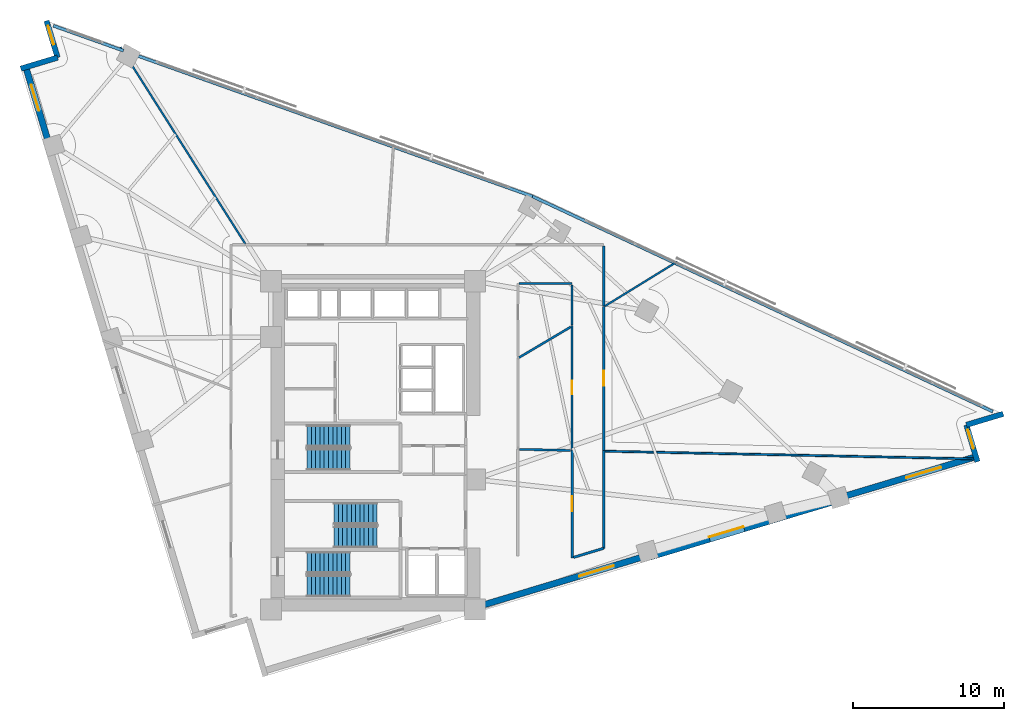
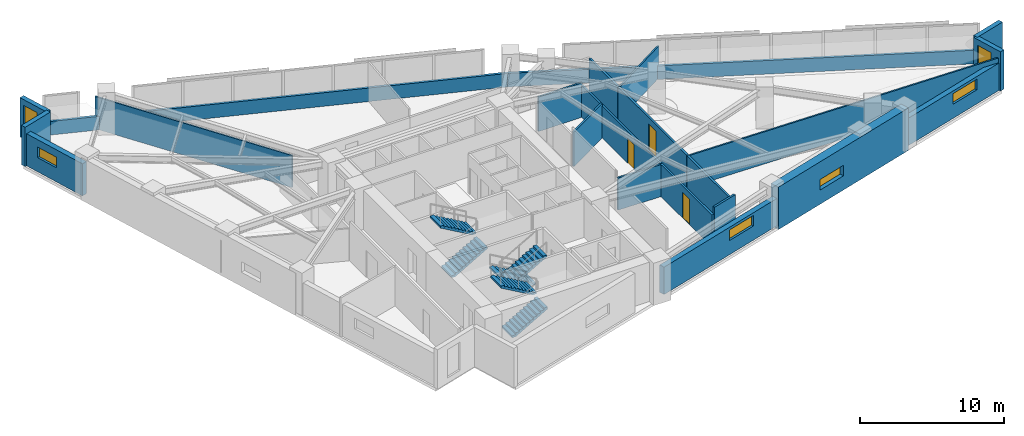
# One storey, part 13 of 16: 24 walls, 6 stair flights, 6 windows, 3 doors, 9 openings, 3 elements without a shape of their own.
"""IFC4 building model written with IfcOpenShell, lengths in metres."""

from ifc_helpers import new_model, si_unit, direction, frame, frame_2d, origin, place, context, subcontext, project, spatial, polyline, rectangle, outline, extrude, material, layer, layer_set, type_object, element, fill, aggregate, save


model = new_model("IFC4")

# Units and contexts
model_context = context("Model", 3, precision=1e-05, world=origin(), true_north=direction((0.0, 1.0)))
body_context = subcontext(model_context, "Body", "Model", "MODEL_VIEW")
ifc_project = project(units=[si_unit("LENGTHUNIT", "METRE"), si_unit("AREAUNIT", "SQUARE_METRE"), si_unit("VOLUMEUNIT", "CUBIC_METRE"), si_unit("PLANEANGLEUNIT", "RADIAN"), si_unit("MASSUNIT", "GRAM", prefix="KILO")], contexts=[model_context])

# Site, building, storey
site_placement = place(None, origin())
site = spatial("IfcSite", under=ifc_project, at=site_placement, CompositionType="ELEMENT")
building_placement = place(site_placement, origin())
building = spatial("IfcBuilding", under=site, at=building_placement, Name="Narakoshi Arena Tower", CompositionType="ELEMENT")
storey_placement = place(building_placement, frame((0.0, 0.0, 153.89990234375)))
storey = spatial("IfcBuildingStorey", under=building, at=storey_placement, Name="L41", CompositionType="ELEMENT", Elevation=153.89990234375)

# Wall, opening, door
ifc_material_1 = material(Name="Gypsum plasterboard fire-rated partition")
ifc_layer_1 = layer(ifc_material_1, 0.1650390625)
ifc_layer_set_1 = layer_set([ifc_layer_1], Name="Gypsum plasterboard fire-rated partition")
wall_type_1 = type_object("IfcWallType", Name="WL-CORR-165", PredefinedType="PARTITIONING", material=ifc_layer_set_1)
wall_1_placement = place(storey_placement, frame((91.996337890625, 45.300048828125, 0.0), z_axis=(0.0, 0.0, 1.0), x_axis=(0.0, -1.0, 0.0)))
wall_1 = element("IfcWall", 1, at=wall_1_placement, inside=storey, type_object=wall_type_1, Name="L41 Corridor Partition 02-1", PredefinedType="PARTITIONING", context=body_context, shape_type="SweptSolid", body=[
    extrude(rectangle(XDim=7.16064453125, YDim=0.1650390625, at=frame_2d((3.580322265625, 0.0))), origin(), (0.0, 0.0, 1.0), 2.72509765625),
])
opening_1_placement = place(wall_1_placement, frame((3.080322265625, 0.0, 0.0)))
opening_1 = element("IfcOpeningElement", 2, at=opening_1_placement, cuts=wall_1, Name="Opening D-06", PredefinedType="OPENING", context=body_context, shape_type="SweptSolid", body=[
    extrude(rectangle(XDim=1.0, YDim=2.199951171875, at=frame_2d((0.5, 1.10009765625))), frame((0.0, 0.092529296875, 0.0), z_axis=(0.0, -1.0, 0.0), x_axis=(1.0, 0.0, 0.0)), (0.0, 0.0, 1.0), 0.18505859375),
])
ifc_material_2 = material(Name="Stained oak solid-core timber", Category="wood")
door_type_1 = type_object("IfcDoorType", Name="DR-OFF-1000", OperationType="NOTDEFINED", PredefinedType="DOOR", material=ifc_material_2)
door_1_placement = place(opening_1_placement, frame((1.0, 0.0, 0.0), z_axis=(0.0, 0.0, 1.0), x_axis=(-1.0, 0.0, 0.0)))
door_1 = element("IfcDoor", 3, at=door_1_placement, inside=storey, type_object=door_type_1, Name="DR-L41-016", OperationType="SINGLE_SWING_RIGHT", OverallHeight=2.199951171875, OverallWidth=1.0, PredefinedType="DOOR", context=body_context, shape_type="SweptSolid", body=[
    extrude(rectangle(XDim=1.0, YDim=2.199951171875, at=frame_2d((0.5, 1.10009765625))), frame((0.0, 0.02490234375, 0.0), z_axis=(0.0, -1.0, 0.0), x_axis=(1.0, 0.0, 0.0)), (0.0, 0.0, 1.0), 0.050048828125),
])
fill(opening_1, door_1)

# Walls
wall_2_placement = place(storey_placement, frame((94.09619140625, 38.771484375, 0.0), z_axis=(0.0, 0.0, 1.0), x_axis=(0.0, 1.0, 0.0)))
element("IfcWall", 4, at=wall_2_placement, inside=storey, type_object=wall_type_1, Name="L41 Corridor Partition 02-3", PredefinedType="PARTITIONING", context=body_context, shape_type="SweptSolid", body=[
    extrude(rectangle(XDim=6.482666015625, YDim=0.1650390625, at=frame_2d((3.2412109375, 0.0))), origin(), (0.0, 0.0, 1.0), 2.72509765625),
])
wall_3_placement = place(storey_placement, frame((92.0908203125, 38.16796875, 0.0), z_axis=(0.0, 0.0, 1.0), x_axis=(0.957575652527, 0.288182007919, 0.0)))
element("IfcWall", 5, at=wall_3_placement, inside=storey, type_object=wall_type_1, Name="L41 Corridor Partition 02-4", PredefinedType="PARTITIONING", context=body_context, shape_type="SweptSolid", body=[
    extrude(rectangle(XDim=2.09423828125, YDim=0.1650390625, at=frame_2d((1.047119140625, 0.0))), origin(), (0.0, 0.0, 1.0), 3.340087890625),
])

# Wall, opening, door
wall_4_placement = place(storey_placement, frame((94.09619140625, 45.2783203125, 0.0), z_axis=(0.0, 0.0, 1.0), x_axis=(0.0, 1.0, 0.0)))
wall_4 = element("IfcWall", 6, at=wall_4_placement, inside=storey, type_object=wall_type_1, Name="L41 Corridor Partition 03-1", PredefinedType="PARTITIONING", context=body_context, shape_type="SweptSolid", body=[
    extrude(rectangle(XDim=9.55322265625, YDim=0.1650390625, at=frame_2d((4.776611328125, 0.0))), origin(), (0.0, 0.0, 1.0), 2.72509765625),
])
opening_2_placement = place(wall_4_placement, frame((4.276611328125, 0.0, 0.0)))
opening_2 = element("IfcOpeningElement", 7, at=opening_2_placement, cuts=wall_4, Name="Opening D-06", PredefinedType="OPENING", context=body_context, shape_type="SweptSolid", body=[
    extrude(rectangle(XDim=1.0, YDim=2.199951171875, at=frame_2d((0.5, 1.10009765625))), frame((0.0, 0.092529296875, 0.0), z_axis=(0.0, -1.0, 0.0), x_axis=(1.0, 0.0, 0.0)), (0.0, 0.0, 1.0), 0.18505859375),
])
door_2_placement = place(opening_2_placement, frame((1.0, 0.0, 0.0), z_axis=(0.0, 0.0, 1.0), x_axis=(-1.0, 0.0, 0.0)))
door_2 = element("IfcDoor", 8, at=door_2_placement, inside=storey, type_object=door_type_1, Name="DR-L41-017", OperationType="SINGLE_SWING_LEFT", OverallHeight=2.199951171875, OverallWidth=1.0, PredefinedType="DOOR", context=body_context, shape_type="SweptSolid", body=[
    extrude(rectangle(XDim=1.0, YDim=2.199951171875, at=frame_2d((0.5, 1.10009765625))), frame((0.0, 0.02490234375, 0.0), z_axis=(0.0, -1.0, 0.0), x_axis=(1.0, 0.0, 0.0)), (0.0, 0.0, 1.0), 0.050048828125),
])
fill(opening_2, door_2)

# Wall
wall_5_placement = place(storey_placement, frame((94.09619140625, 54.859619140625, 0.0), z_axis=(0.0, 0.0, 1.0), x_axis=(0.0, 1.0, 0.0)))
element("IfcWall", 9, at=wall_5_placement, inside=storey, type_object=wall_type_1, Name="L41 Corridor Partition 06-2", PredefinedType="PARTITIONING", context=body_context, shape_type="SweptSolid", body=[
    extrude(rectangle(XDim=3.98291015625, YDim=0.1650390625, at=frame_2d((1.991455078125, 0.0))), origin(), (0.0, 0.0, 1.0), 2.72509765625),
])

# Wall, opening, window
ifc_material_3 = material(Name="Concrete C60/75", Category="concrete")
ifc_layer_2 = layer(ifc_material_3, 0.699951171875)
ifc_layer_set_2 = layer_set([ifc_layer_2], Name="Concrete C60/75")
wall_type_2 = type_object("IfcWallType", Name="WL-LEG-700", PredefinedType="SHEAR", material=ifc_layer_set_2)
wall_6_placement = place(storey_placement, frame((97.062255859375, 38.306640625, -0.260009765625), z_axis=(0.0, 0.0, 1.0), x_axis=(0.957569832102, 0.288201347408, 0.0)))
wall_6 = element("IfcWall", 10, at=wall_6_placement, inside=storey, type_object=wall_type_2, Name="L41 Architectural Concrete Structural Wall LEGA-3", PredefinedType="SHEAR", context=body_context, shape_type="SweptSolid", body=[
    extrude(rectangle(XDim=13.198974609375, YDim=0.699951171875, at=frame_2d((6.599609375, 0.0))), origin(), (0.0, 0.0, 1.0), 3.60009765625),
])
opening_3_placement = place(wall_6_placement, frame((4.201171875, 0.0, 1.199951171875)))
opening_3 = element("IfcOpeningElement", 11, at=opening_3_placement, cuts=wall_6, Name="Opening WN-01", PredefinedType="OPENING", context=body_context, shape_type="SweptSolid", body=[
    extrude(rectangle(XDim=2.39990234375, YDim=0.89990234375, at=frame_2d((1.199951171875, 0.449951171875))), frame((0.0, 0.35986328125, 0.0), z_axis=(0.0, -1.0, 0.0), x_axis=(1.0, 0.0, 0.0)), (0.0, 0.0, 1.0), 0.719970703125),
])
ifc_material_4 = material(Name="Bronze-tinted low-E laminated glass", Category="glass")
window_type_1 = type_object("IfcWindowType", Name="WIN-SLT-24x09", PartitioningType="SINGLE_PANEL", PredefinedType="WINDOW", material=ifc_material_4)
window_1_placement = place(opening_3_placement, origin())
window_1 = element("IfcWindow", 12, at=window_1_placement, inside=storey, type_object=window_type_1, Name="L41 LEGA3 Horizontal Slot Window 1", OverallHeight=0.89990234375, OverallWidth=2.39990234375, PartitioningType="SINGLE_PANEL", PredefinedType="WINDOW", context=body_context, shape_type="SweptSolid", body=[
    extrude(rectangle(XDim=2.39990234375, YDim=0.89990234375, at=frame_2d((1.199951171875, 0.449951171875))), frame((0.0, 0.030029296875, 0.0), z_axis=(0.0, -1.0, 0.0), x_axis=(1.0, 0.0, 0.0)), (0.0, 0.0, 1.0), 0.06005859375),
])
fill(opening_3, window_1)

# Walls
ifc_material_5 = material(Name="Precast concrete C45/55", Category="concrete")
ifc_layer_3 = layer(ifc_material_5, 0.25)
ifc_layer_set_3 = layer_set([ifc_layer_3], Name="Precast concrete C45/55")
wall_type_3 = type_object("IfcWallType", Name="WL-PARA-250", PredefinedType="PARAPET", material=ifc_layer_set_3)
wall_7_placement = place(storey_placement, frame((119.92578125, 47.843017578125, 0.0), z_axis=(0.0, 0.0, 1.0), x_axis=(-0.905880730846, 0.423532881228, 0.0)))
element("IfcWall", 13, at=wall_7_placement, inside=storey, type_object=wall_type_3, Name="L41 Hypotenuse Sill Upstand Parapet 1-01", PredefinedType="PARAPET", context=body_context, shape_type="SweptSolid", body=[
    extrude(rectangle(XDim=33.74755859375, YDim=0.199951171875, at=frame_2d((16.873779296875, 0.0))), origin(), (0.0, 0.0, 1.0), 1.150146484375),
])
wall_8_placement = place(storey_placement, frame((89.368408203125, 62.13037109375, 0.0), z_axis=(0.0, 0.0, 1.0), x_axis=(-0.942033439765, 0.335518998515, 0.0)))
element("IfcWall", 14, at=wall_8_placement, inside=storey, type_object=wall_type_3, Name="L41 Hypotenuse Sill Upstand Parapet 2-01", PredefinedType="PARAPET", context=body_context, shape_type="SweptSolid", body=[
    extrude(rectangle(XDim=27.969482421875, YDim=0.199951171875, at=frame_2d((13.98486328125, 0.0))), origin(), (0.0, 0.0, 1.0), 1.150146484375),
])
wall_9_placement = place(storey_placement, frame((62.2177734375, 71.800537109375, 0.0), z_axis=(0.0, 0.0, 1.0), x_axis=(-0.942038862895, 0.335503771655, 0.0)))
element("IfcWall", 15, at=wall_9_placement, inside=storey, type_object=wall_type_3, Name="L41 Hypotenuse Sill Upstand Parapet 2-02", PredefinedType="PARAPET", context=body_context, shape_type="SweptSolid", body=[
    extrude(rectangle(XDim=4.941650390625, YDim=0.199951171875, at=frame_2d((2.470703125, 0.0))), origin(), (0.0, 0.0, 1.0), 1.150146484375),
])
ifc_layer_4 = layer(ifc_material_1, 0.125)
ifc_layer_set_4 = layer_set([ifc_layer_4], Name="Gypsum plasterboard fire-rated partition")
wall_type_4 = type_object("IfcWallType", Name="WL-PART-125", PredefinedType="PARTITIONING", material=ifc_layer_set_4)
wall_10_placement = place(storey_placement, frame((94.190673828125, 45.21630859375, 0.0), z_axis=(0.0, 0.0, 1.0), x_axis=(0.999785813259, -0.020696077055, 0.0)))
element("IfcWall", 16, at=wall_10_placement, inside=storey, type_object=wall_type_4, Name="L41 Inter-Room Partition 02-03", PredefinedType="PARTITIONING", context=body_context, shape_type="SweptSolid", body=[
    extrude(rectangle(XDim=24.66650390625, YDim=0.125, at=frame_2d((12.333251953125, 0.0))), origin(), (0.0, 0.0, 1.0), 2.72509765625),
])
wall_11_placement = place(storey_placement, frame((94.14794921875, 54.83154296875, 0.0), z_axis=(0.0, 0.0, 1.0), x_axis=(0.851656841351, 0.524099823106, 0.0)))
element("IfcWall", 17, at=wall_11_placement, inside=storey, type_object=wall_type_4, Name="L41 Inter-Room Partition 03-06", PredefinedType="PARTITIONING", context=body_context, shape_type="SweptSolid", body=[
    extrude(rectangle(XDim=5.681640625, YDim=0.125, at=frame_2d((2.8408203125, 0.0))), origin(), (0.0, 0.0, 1.0), 2.72509765625),
])
wall_12_placement = place(storey_placement, frame((70.30126953125, 58.986572265625, 0.0), z_axis=(0.0, 0.0, 1.0), x_axis=(-0.536044918422, 0.844189460627, 0.0)))
element("IfcWall", 18, at=wall_12_placement, inside=storey, type_object=wall_type_4, Name="L41 Inter-Room Partition 07-08", PredefinedType="PARTITIONING", context=body_context, shape_type="SweptSolid", body=[
    extrude(rectangle(XDim=15.468017578125, YDim=0.125, at=frame_2d((7.73388671875, 0.0))), origin(), (0.0, 0.0, 1.0), 2.72509765625),
])

# Wall, opening, window
ifc_layer_5 = layer(ifc_material_5, 0.419921875)
ifc_layer_set_5 = layer_set([ifc_layer_5], Name="Precast concrete C45/55")
wall_type_5 = type_object("IfcWallType", Name="WL-POD-420", PredefinedType="SOLIDWALL", material=ifc_layer_set_5)
wall_13_placement = place(storey_placement, frame((86.10009765625, 35.00732421875, 0.0), z_axis=(0.0, 0.0, 1.0), x_axis=(0.957569401796, 0.288202777129, 0.0)))
wall_13 = element("IfcWall", 19, at=wall_13_placement, inside=storey, type_object=wall_type_5, Name="L41 Architectural Concrete Facade Wall LEGA-2", PredefinedType="SOLIDWALL", context=body_context, shape_type="SweptSolid", body=[
    extrude(rectangle(XDim=11.447998046875, YDim=0.419921875, at=frame_2d((5.72412109375, 0.0))), origin(), (0.0, 0.0, 1.0), 2.3251953125),
])
opening_4_placement = place(wall_13_placement, frame((6.652099609375, 0.0, 1.199951171875)))
opening_4 = element("IfcOpeningElement", 20, at=opening_4_placement, cuts=wall_13, Name="Opening WN-01", PredefinedType="OPENING", context=body_context, shape_type="SweptSolid", body=[
    extrude(rectangle(XDim=2.39990234375, YDim=0.89990234375, at=frame_2d((1.199951171875, 0.449951171875))), frame((0.0, 0.219970703125, 0.0), z_axis=(0.0, -1.0, 0.0), x_axis=(1.0, 0.0, 0.0)), (0.0, 0.0, 1.0), 0.43994140625),
])
window_2_placement = place(opening_4_placement, origin())
window_2 = element("IfcWindow", 21, at=window_2_placement, inside=storey, type_object=window_type_1, Name="L41 LEGA2 Horizontal Slot Window 1", OverallHeight=0.89990234375, OverallWidth=2.39990234375, PartitioningType="SINGLE_PANEL", PredefinedType="WINDOW", context=body_context, shape_type="SweptSolid", body=[
    extrude(rectangle(XDim=2.39990234375, YDim=0.89990234375, at=frame_2d((1.199951171875, 0.449951171875))), frame((0.0, 0.030029296875, 0.0), z_axis=(0.0, -1.0, 0.0), x_axis=(1.0, 0.0, 0.0)), (0.0, 0.0, 1.0), 0.06005859375),
])
fill(opening_4, window_2)

wall_14_placement = place(storey_placement, frame((109.701171875, 42.110595703125, 0.0), z_axis=(0.0, 0.0, 1.0), x_axis=(0.957575807765, 0.288181492091, 0.0)))
wall_14 = element("IfcWall", 22, at=wall_14_placement, inside=storey, type_object=wall_type_5, Name="L41 Architectural Concrete Facade Wall LEGA-4", PredefinedType="SOLIDWALL", context=body_context, shape_type="SweptSolid", body=[
    extrude(rectangle(XDim=9.510498046875, YDim=0.419921875, at=frame_2d((4.75537109375, 0.0))), origin(), (0.0, 0.0, 1.0), 2.3251953125),
])
opening_5_placement = place(wall_14_placement, frame((4.679443359375, 0.0, 1.199951171875)))
opening_5 = element("IfcOpeningElement", 23, at=opening_5_placement, cuts=wall_14, Name="Opening WN-01", PredefinedType="OPENING", context=body_context, shape_type="SweptSolid", body=[
    extrude(rectangle(XDim=2.39990234375, YDim=0.89990234375, at=frame_2d((1.199951171875, 0.449951171875))), frame((0.0, 0.219970703125, 0.0), z_axis=(0.0, -1.0, 0.0), x_axis=(1.0, 0.0, 0.0)), (0.0, 0.0, 1.0), 0.43994140625),
])
window_3_placement = place(opening_5_placement, origin())
window_3 = element("IfcWindow", 24, at=window_3_placement, inside=storey, type_object=window_type_1, Name="L41 LEGA4 Horizontal Slot Window 1", OverallHeight=0.89990234375, OverallWidth=2.39990234375, PartitioningType="SINGLE_PANEL", PredefinedType="WINDOW", context=body_context, shape_type="SweptSolid", body=[
    extrude(rectangle(XDim=2.39990234375, YDim=0.89990234375, at=frame_2d((1.199951171875, 0.449951171875))), frame((0.0, 0.030029296875, 0.0), z_axis=(0.0, -1.0, 0.0), x_axis=(1.0, 0.0, 0.0)), (0.0, 0.0, 1.0), 0.06005859375),
])
fill(opening_5, window_3)

wall_15_placement = place(storey_placement, frame((55.734130859375, 70.71142578125, 0.0), z_axis=(0.0, 0.0, 1.0), x_axis=(0.288221590884, -0.957563739157, 0.0)))
wall_15 = element("IfcWall", 25, at=wall_15_placement, inside=storey, type_object=wall_type_5, Name="L41 Architectural Concrete Facade Wall LEGB-1", PredefinedType="SOLIDWALL", context=body_context, shape_type="SweptSolid", body=[
    extrude(rectangle(XDim=5.510986328125, YDim=0.419921875, at=frame_2d((2.75537109375, 0.0))), origin(), (0.0, 0.0, 1.0), 2.72509765625),
])
opening_6_placement = place(wall_15_placement, frame((1.223388671875, 0.0, 1.199951171875)))
opening_6 = element("IfcOpeningElement", 26, at=opening_6_placement, cuts=wall_15, Name="Opening WN-02", PredefinedType="OPENING", context=body_context, shape_type="SweptSolid", body=[
    extrude(rectangle(XDim=1.800048828125, YDim=0.89990234375, at=frame_2d((0.89990234375, 0.449951171875))), frame((0.0, 0.219970703125, 0.0), z_axis=(0.0, -1.0, 0.0), x_axis=(1.0, 0.0, 0.0)), (0.0, 0.0, 1.0), 0.43994140625),
])
window_type_2 = type_object("IfcWindowType", Name="WIN-SLT-18x09", PartitioningType="SINGLE_PANEL", PredefinedType="WINDOW", material=ifc_material_4)
window_4_placement = place(opening_6_placement, origin())
window_4 = element("IfcWindow", 27, at=window_4_placement, inside=storey, type_object=window_type_2, Name="L41 LEGB1 Horizontal Slot Window 1", OverallHeight=0.89990234375, OverallWidth=1.800048828125, PartitioningType="SINGLE_PANEL", PredefinedType="WINDOW", context=body_context, shape_type="SweptSolid", body=[
    extrude(rectangle(XDim=1.800048828125, YDim=0.89990234375, at=frame_2d((0.89990234375, 0.449951171875))), frame((0.0, 0.030029296875, 0.0), z_axis=(0.0, -1.0, 0.0), x_axis=(1.0, 0.0, 0.0)), (0.0, 0.0, 1.0), 0.06005859375),
])
fill(opening_6, window_4)

wall_16_placement = place(storey_placement, frame((118.908935546875, 44.51611328125, 0.0), z_axis=(0.0, 0.0, 1.0), x_axis=(-0.288172590882, 0.95757848653, 0.0)))
wall_16 = element("IfcWall", 28, at=wall_16_placement, inside=storey, type_object=wall_type_5, Name="L41 Re-Entrant Corner Notch Wall NTE-1", PredefinedType="SOLIDWALL", context=body_context, shape_type="SweptSolid", body=[
    extrude(rectangle(XDim=2.552734375, YDim=0.360107421875, at=frame_2d((1.2763671875, 0.0))), origin(), (0.0, 0.0, 1.0), 3.340087890625),
])
opening_7_placement = place(wall_16_placement, frame((0.91259765625, 0.0, 0.449951171875)))
opening_7 = element("IfcOpeningElement", 29, at=opening_7_placement, cuts=wall_16, Name="Opening WN-06", PredefinedType="OPENING", context=body_context, shape_type="SweptSolid", body=[
    extrude(rectangle(XDim=1.300048828125, YDim=2.39990234375, at=frame_2d((0.64990234375, 1.199951171875))), frame((0.0, 0.18994140625, 0.0), z_axis=(0.0, -1.0, 0.0), x_axis=(1.0, 0.0, 0.0)), (0.0, 0.0, 1.0), 0.380126953125),
])
window_type_3 = type_object("IfcWindowType", Name="WIN-NTC-16x24", PartitioningType="SINGLE_PANEL", PredefinedType="WINDOW", material=ifc_material_4)
window_5_placement = place(opening_7_placement, origin())
window_5 = element("IfcWindow", 30, at=window_5_placement, inside=storey, type_object=window_type_3, Name="L41 Corner Notch Window NTE", OverallHeight=2.39990234375, OverallWidth=1.300048828125, PartitioningType="SINGLE_PANEL", PredefinedType="WINDOW", context=body_context, shape_type="SweptSolid", body=[
    extrude(rectangle(XDim=1.300048828125, YDim=2.39990234375, at=frame_2d((0.64990234375, 1.199951171875))), frame((0.0, 0.030029296875, 0.0), z_axis=(0.0, -1.0, 0.0), x_axis=(1.0, 0.0, 0.0)), (0.0, 0.0, 1.0), 0.06005859375),
])
fill(opening_7, window_5)

# Wall
wall_17_placement = place(storey_placement, frame((118.17333984375, 46.96044921875, 0.0), z_axis=(0.0, 0.0, 1.0), x_axis=(0.95757848653, 0.288172590882, 0.0)))
element("IfcWall", 31, at=wall_17_placement, inside=storey, type_object=wall_type_5, Name="L41 Re-Entrant Corner Notch Wall NTE-2", PredefinedType="SOLIDWALL", context=body_context, shape_type="SweptSolid", body=[
    extrude(rectangle(XDim=2.552734375, YDim=0.360107421875, at=frame_2d((1.2763671875, 0.0))), origin(), (0.0, 0.0, 1.0), 3.340087890625),
])

# Wall, opening, window
wall_18_placement = place(storey_placement, frame((57.107666015625, 73.790283203125, 0.0), z_axis=(0.0, 0.0, 1.0), x_axis=(0.288198985694, -0.957570542908, 0.0)))
wall_18 = element("IfcWall", 32, at=wall_18_placement, inside=storey, type_object=wall_type_5, Name="L41 Re-Entrant Corner Notch Wall NTN-1", PredefinedType="SOLIDWALL", context=body_context, shape_type="SweptSolid", body=[
    extrude(rectangle(XDim=2.552490234375, YDim=0.360107421875, at=frame_2d((1.2763671875, 0.0))), origin(), (0.0, 0.0, 1.0), 3.340087890625),
])
opening_8_placement = place(wall_18_placement, frame((0.340087890625, 0.0, 0.449951171875)))
opening_8 = element("IfcOpeningElement", 33, at=opening_8_placement, cuts=wall_18, Name="Opening WN-06", PredefinedType="OPENING", context=body_context, shape_type="SweptSolid", body=[
    extrude(rectangle(XDim=1.300048828125, YDim=2.39990234375, at=frame_2d((0.64990234375, 1.199951171875))), frame((0.0, 0.18994140625, 0.0), z_axis=(0.0, -1.0, 0.0), x_axis=(1.0, 0.0, 0.0)), (0.0, 0.0, 1.0), 0.380126953125),
])
window_6_placement = place(opening_8_placement, origin())
window_6 = element("IfcWindow", 34, at=window_6_placement, inside=storey, type_object=window_type_3, Name="L41 Corner Notch Window NTN", OverallHeight=2.39990234375, OverallWidth=1.300048828125, PartitioningType="SINGLE_PANEL", PredefinedType="WINDOW", context=body_context, shape_type="SweptSolid", body=[
    extrude(rectangle(XDim=1.300048828125, YDim=2.39990234375, at=frame_2d((0.64990234375, 1.199951171875))), frame((0.0, 0.030029296875, 0.0), z_axis=(0.0, -1.0, 0.0), x_axis=(1.0, 0.0, 0.0)), (0.0, 0.0, 1.0), 0.06005859375),
])
fill(opening_8, window_6)

# Walls
wall_19_placement = place(storey_placement, frame((57.84326171875, 71.34619140625, 0.0), z_axis=(0.0, 0.0, 1.0), x_axis=(-0.95757848653, -0.288172590882, 0.0)))
element("IfcWall", 35, at=wall_19_placement, inside=storey, type_object=wall_type_5, Name="L41 Re-Entrant Corner Notch Wall NTN-2", PredefinedType="SOLIDWALL", context=body_context, shape_type="SweptSolid", body=[
    extrude(rectangle(XDim=2.552734375, YDim=0.360107421875, at=frame_2d((1.2763671875, 0.0))), origin(), (0.0, 0.0, 1.0), 3.340087890625),
])
ifc_material_6 = material(Name="Moisture-resistant cement-board partition")
ifc_layer_6 = layer(ifc_material_6, 0.14501953125)
ifc_layer_set_6 = layer_set([ifc_layer_6], Name="Moisture-resistant cement-board partition")
wall_type_6 = type_object("IfcWallType", Name="WL-WET-145", PredefinedType="PARTITIONING", material=ifc_layer_set_6)
wall_20_placement = place(storey_placement, frame((88.494384765625, 45.34033203125, 0.0), z_axis=(0.0, 0.0, 1.0), x_axis=(0.999762874358, -0.021776020191, 0.0)))
element("IfcWall", 36, at=wall_20_placement, inside=storey, type_object=wall_type_6, Name="L41 Inter-Room Partition 02-04", PredefinedType="PARTITIONING", context=body_context, shape_type="SweptSolid", body=[
    extrude(rectangle(XDim=3.408203125, YDim=0.14501953125, at=frame_2d((1.7041015625, 0.0))), origin(), (0.0, 0.0, 1.0), 2.72509765625),
])

# Wall, opening, door
wall_21_placement = place(storey_placement, frame((91.996337890625, 53.562255859375, 0.0), z_axis=(0.0, 0.0, 1.0), x_axis=(0.0, -1.0, 0.0)))
wall_21 = element("IfcWall", 37, at=wall_21_placement, inside=storey, type_object=wall_type_6, Name="L41 Corridor Partition 04-1", PredefinedType="PARTITIONING", context=body_context, shape_type="SweptSolid", body=[
    extrude(rectangle(XDim=8.238037109375, YDim=0.14501953125, at=frame_2d((4.119140625, 0.0))), origin(), (0.0, 0.0, 1.0), 2.72509765625),
])
opening_9_placement = place(wall_21_placement, frame((3.6689453125, 0.0, 0.0)))
opening_9 = element("IfcOpeningElement", 38, at=opening_9_placement, cuts=wall_21, Name="Opening D-08", PredefinedType="OPENING", context=body_context, shape_type="SweptSolid", body=[
    extrude(rectangle(XDim=0.89990234375, YDim=2.10009765625, at=frame_2d((0.449951171875, 1.050048828125))), frame((0.0, 0.08251953125, 0.0), z_axis=(0.0, -1.0, 0.0), x_axis=(1.0, 0.0, 0.0)), (0.0, 0.0, 1.0), 0.1650390625),
])
ifc_material_7 = material(Name="Moisture-resistant laminate timber", Category="wood")
door_type_2 = type_object("IfcDoorType", Name="DR-WC-900", OperationType="NOTDEFINED", PredefinedType="DOOR", material=ifc_material_7)
door_3_placement = place(opening_9_placement, frame((0.89990234375, 0.0, 0.0), z_axis=(0.0, 0.0, 1.0), x_axis=(-1.0, 0.0, 0.0)))
door_3 = element("IfcDoor", 39, at=door_3_placement, inside=storey, type_object=door_type_2, Name="DR-L41-018", OperationType="SINGLE_SWING_LEFT", OverallHeight=2.10009765625, OverallWidth=0.89990234375, PredefinedType="DOOR", context=body_context, shape_type="SweptSolid", body=[
    extrude(rectangle(XDim=0.89990234375, YDim=2.10009765625, at=frame_2d((0.449951171875, 1.050048828125))), frame((0.0, 0.02490234375, 0.0), z_axis=(0.0, -1.0, 0.0), x_axis=(1.0, 0.0, 0.0)), (0.0, 0.0, 1.0), 0.050048828125),
])
fill(opening_9, door_3)

# Walls
wall_22_placement = place(storey_placement, frame((88.460205078125, 51.42431640625, 0.0), z_axis=(0.0, 0.0, 1.0), x_axis=(0.860266822839, 0.509844087464, 0.0)))
element("IfcWall", 40, at=wall_22_placement, inside=storey, type_object=wall_type_6, Name="L41 Inter-Room Partition 04-05", PredefinedType="PARTITIONING", context=body_context, shape_type="SweptSolid", body=[
    extrude(rectangle(XDim=4.01220703125, YDim=0.14501953125, at=frame_2d((2.006103515625, 0.0))), origin(), (0.0, 0.0, 1.0), 2.925048828125),
])
wall_23_placement = place(storey_placement, frame((88.484619140625, 56.35009765625, 0.0), z_axis=(0.0, 0.0, 1.0), x_axis=(1.0, 0.0, 0.0)))
element("IfcWall", 41, at=wall_23_placement, inside=storey, type_object=wall_type_6, Name="L41 Corridor Partition 05-2", PredefinedType="PARTITIONING", context=body_context, shape_type="SweptSolid", body=[
    extrude(rectangle(XDim=3.51171875, YDim=0.14501953125, at=frame_2d((1.755859375, 0.0))), origin(), (0.0, 0.0, 1.0), 2.925048828125),
])
wall_24_placement = place(storey_placement, frame((91.996337890625, 56.265380859375, 0.0), z_axis=(0.0, 0.0, 1.0), x_axis=(0.0, -1.0, 0.0)))
element("IfcWall", 42, at=wall_24_placement, inside=storey, type_object=wall_type_6, Name="L41 Corridor Partition 05-3", PredefinedType="PARTITIONING", context=body_context, shape_type="SweptSolid", body=[
    extrude(rectangle(XDim=2.67529296875, YDim=0.14501953125, at=frame_2d((1.337646484375, 0.0))), origin(), (0.0, 0.0, 1.0), 2.72509765625),
])

# Stair, stair flights
ifc_material_8 = material(Name="Concrete C45/55", Category="concrete")
stair_type = type_object("IfcStairType", Name="STR-CORE-360", PredefinedType="TWO_STRAIGHT_RUN_STAIR", material=ifc_material_8)
stair_1_placement = place(storey_placement, origin())
stair_1 = element("IfcStair", 43, at=stair_1_placement, inside=storey, type_object=stair_type, Name="L41 Core Escape Stair ST1", PredefinedType="TWO_STRAIGHT_RUN_STAIR")
stair_flight_type = type_object("IfcStairFlightType", Name="FLT-145-160", PredefinedType="STRAIGHT", material=ifc_material_5)
stair_flight_1_placement = place(storey_placement, frame((74.39990234375, 36.27490234375, 0.0), z_axis=(0.0, 0.0, 1.0), x_axis=(1.0, 0.0, 0.0)))
stair_flight_1 = element("IfcStairFlight", 44, at=stair_flight_1_placement, type_object=stair_flight_type, Name="ST1 flight 1", NumberOfRisers=11, NumberOfTreads=10, PredefinedType="STRAIGHT", RiserHeight=0.163636364, TreadLength=0.285, context=body_context, shape_type="SweptSolid", body=[
    extrude(outline(polyline([(0.0, 0.0), (0.0, 0.16357421875), (0.284912109375, 0.16357421875), (0.284912109375, 0.327392578125), (0.570068359375, 0.327392578125), (0.570068359375, 0.490966796875), (0.85498046875, 0.490966796875), (0.85498046875, 0.654541015625), (1.139892578125, 0.654541015625), (1.139892578125, 0.818115234375), (1.425048828125, 0.818115234375), (1.425048828125, 0.98193359375), (1.7099609375, 0.98193359375), (1.7099609375, 1.1455078125), (1.9951171875, 1.1455078125), (1.9951171875, 1.30908203125), (2.280029296875, 1.30908203125), (2.280029296875, 1.47265625), (2.56494140625, 1.47265625), (2.56494140625, 1.636474609375), (2.85009765625, 1.636474609375), (2.85009765625, 1.800048828125), (2.85009765625, 1.463623046875), (0.301025390625, 0.0), (0.0, 0.0)])), frame((0.0, 0.72509765625, 0.0), z_axis=(0.0, -1.0, 0.0), x_axis=(1.0, 0.0, 0.0)), (0.0, 0.0, 1.0), 1.449951171875),
])
stair_flight_2_placement = place(storey_placement, frame((77.25, 37.824951171875, 1.800048828125), z_axis=(0.0, 0.0, 1.0), x_axis=(-1.0, 0.0, 0.0)))
stair_flight_2 = element("IfcStairFlight", 45, at=stair_flight_2_placement, type_object=stair_flight_type, Name="ST1 flight 2", NumberOfRisers=11, NumberOfTreads=10, PredefinedType="STRAIGHT", RiserHeight=0.163636364, TreadLength=0.285, context=body_context, shape_type="SweptSolid", body=[
    extrude(outline(polyline([(0.0, 0.0), (0.0, 0.16357421875), (0.284912109375, 0.16357421875), (0.284912109375, 0.327392578125), (0.570068359375, 0.327392578125), (0.570068359375, 0.490966796875), (0.85498046875, 0.490966796875), (0.85498046875, 0.654541015625), (1.139892578125, 0.654541015625), (1.139892578125, 0.818115234375), (1.425048828125, 0.818115234375), (1.425048828125, 0.98193359375), (1.7099609375, 0.98193359375), (1.7099609375, 1.1455078125), (1.9951171875, 1.1455078125), (1.9951171875, 1.30908203125), (2.280029296875, 1.30908203125), (2.280029296875, 1.47265625), (2.56494140625, 1.47265625), (2.56494140625, 1.636474609375), (2.85009765625, 1.636474609375), (2.85009765625, 1.800048828125), (2.85009765625, 1.463623046875), (0.301025390625, 0.0), (0.0, 0.0)])), frame((0.0, 0.72509765625, 0.0), z_axis=(0.0, -1.0, 0.0), x_axis=(1.0, 0.0, 0.0)), (0.0, 0.0, 1.0), 1.449951171875),
])
aggregate(stair_1, [stair_flight_1, stair_flight_2])

stair_2_placement = place(storey_placement, origin())
stair_2 = element("IfcStair", 46, at=stair_2_placement, inside=storey, type_object=stair_type, Name="L41 Core Escape Stair ST2", PredefinedType="TWO_STRAIGHT_RUN_STAIR")
stair_flight_3_placement = place(storey_placement, frame((79.050048828125, 41.074951171875, 0.0), z_axis=(0.0, 0.0, 1.0), x_axis=(-1.0, 0.0, 0.0)))
stair_flight_3 = element("IfcStairFlight", 47, at=stair_flight_3_placement, type_object=stair_flight_type, Name="ST2 flight 1", NumberOfRisers=11, NumberOfTreads=10, PredefinedType="STRAIGHT", RiserHeight=0.163636364, TreadLength=0.285, context=body_context, shape_type="SweptSolid", body=[
    extrude(outline(polyline([(0.0, 0.0), (0.0, 0.16357421875), (0.284912109375, 0.16357421875), (0.284912109375, 0.327392578125), (0.570068359375, 0.327392578125), (0.570068359375, 0.490966796875), (0.85498046875, 0.490966796875), (0.85498046875, 0.654541015625), (1.139892578125, 0.654541015625), (1.139892578125, 0.818115234375), (1.425048828125, 0.818115234375), (1.425048828125, 0.98193359375), (1.7099609375, 0.98193359375), (1.7099609375, 1.1455078125), (1.9951171875, 1.1455078125), (1.9951171875, 1.30908203125), (2.280029296875, 1.30908203125), (2.280029296875, 1.47265625), (2.56494140625, 1.47265625), (2.56494140625, 1.636474609375), (2.85009765625, 1.636474609375), (2.85009765625, 1.800048828125), (2.85009765625, 1.463623046875), (0.301025390625, 0.0), (0.0, 0.0)])), frame((0.0, 0.72509765625, 0.0), z_axis=(0.0, -1.0, 0.0), x_axis=(1.0, 0.0, 0.0)), (0.0, 0.0, 1.0), 1.449951171875),
])
stair_flight_4_placement = place(storey_placement, frame((76.199951171875, 39.52490234375, 1.800048828125), z_axis=(0.0, 0.0, 1.0), x_axis=(1.0, 0.0, 0.0)))
stair_flight_4 = element("IfcStairFlight", 48, at=stair_flight_4_placement, type_object=stair_flight_type, Name="ST2 flight 2", NumberOfRisers=11, NumberOfTreads=10, PredefinedType="STRAIGHT", RiserHeight=0.163636364, TreadLength=0.285, context=body_context, shape_type="SweptSolid", body=[
    extrude(outline(polyline([(0.0, 0.0), (0.0, 0.16357421875), (0.284912109375, 0.16357421875), (0.284912109375, 0.327392578125), (0.570068359375, 0.327392578125), (0.570068359375, 0.490966796875), (0.85498046875, 0.490966796875), (0.85498046875, 0.654541015625), (1.139892578125, 0.654541015625), (1.139892578125, 0.818115234375), (1.425048828125, 0.818115234375), (1.425048828125, 0.98193359375), (1.7099609375, 0.98193359375), (1.7099609375, 1.1455078125), (1.9951171875, 1.1455078125), (1.9951171875, 1.30908203125), (2.280029296875, 1.30908203125), (2.280029296875, 1.47265625), (2.56494140625, 1.47265625), (2.56494140625, 1.636474609375), (2.85009765625, 1.636474609375), (2.85009765625, 1.800048828125), (2.85009765625, 1.463623046875), (0.301025390625, 0.0), (0.0, 0.0)])), frame((0.0, 0.72509765625, 0.0), z_axis=(0.0, -1.0, 0.0), x_axis=(1.0, 0.0, 0.0)), (0.0, 0.0, 1.0), 1.449951171875),
])
aggregate(stair_2, [stair_flight_3, stair_flight_4])

stair_3_placement = place(storey_placement, origin())
stair_3 = element("IfcStair", 49, at=stair_3_placement, inside=storey, type_object=stair_type, Name="L41 Core Escape Stair ST3", PredefinedType="TWO_STRAIGHT_RUN_STAIR")
stair_flight_5_placement = place(storey_placement, frame((74.39990234375, 44.675048828125, 0.0), z_axis=(0.0, 0.0, 1.0), x_axis=(1.0, 0.0, 0.0)))
stair_flight_5 = element("IfcStairFlight", 50, at=stair_flight_5_placement, type_object=stair_flight_type, Name="ST3 flight 1", NumberOfRisers=11, NumberOfTreads=10, PredefinedType="STRAIGHT", RiserHeight=0.163636364, TreadLength=0.285, context=body_context, shape_type="SweptSolid", body=[
    extrude(outline(polyline([(0.0, 0.0), (0.0, 0.16357421875), (0.284912109375, 0.16357421875), (0.284912109375, 0.327392578125), (0.570068359375, 0.327392578125), (0.570068359375, 0.490966796875), (0.85498046875, 0.490966796875), (0.85498046875, 0.654541015625), (1.139892578125, 0.654541015625), (1.139892578125, 0.818115234375), (1.425048828125, 0.818115234375), (1.425048828125, 0.98193359375), (1.7099609375, 0.98193359375), (1.7099609375, 1.1455078125), (1.9951171875, 1.1455078125), (1.9951171875, 1.30908203125), (2.280029296875, 1.30908203125), (2.280029296875, 1.47265625), (2.56494140625, 1.47265625), (2.56494140625, 1.636474609375), (2.85009765625, 1.636474609375), (2.85009765625, 1.800048828125), (2.85009765625, 1.463623046875), (0.301025390625, 0.0), (0.0, 0.0)])), frame((0.0, 0.72509765625, 0.0), z_axis=(0.0, -1.0, 0.0), x_axis=(1.0, 0.0, 0.0)), (0.0, 0.0, 1.0), 1.449951171875),
])
stair_flight_6_placement = place(storey_placement, frame((77.25, 46.22509765625, 1.800048828125), z_axis=(0.0, 0.0, 1.0), x_axis=(-1.0, 0.0, 0.0)))
stair_flight_6 = element("IfcStairFlight", 51, at=stair_flight_6_placement, type_object=stair_flight_type, Name="ST3 flight 2", NumberOfRisers=11, NumberOfTreads=10, PredefinedType="STRAIGHT", RiserHeight=0.163636364, TreadLength=0.285, context=body_context, shape_type="SweptSolid", body=[
    extrude(outline(polyline([(0.0, 0.0), (0.0, 0.16357421875), (0.284912109375, 0.16357421875), (0.284912109375, 0.327392578125), (0.570068359375, 0.327392578125), (0.570068359375, 0.490966796875), (0.85498046875, 0.490966796875), (0.85498046875, 0.654541015625), (1.139892578125, 0.654541015625), (1.139892578125, 0.818115234375), (1.425048828125, 0.818115234375), (1.425048828125, 0.98193359375), (1.7099609375, 0.98193359375), (1.7099609375, 1.1455078125), (1.9951171875, 1.1455078125), (1.9951171875, 1.30908203125), (2.280029296875, 1.30908203125), (2.280029296875, 1.47265625), (2.56494140625, 1.47265625), (2.56494140625, 1.636474609375), (2.85009765625, 1.636474609375), (2.85009765625, 1.800048828125), (2.85009765625, 1.463623046875), (0.301025390625, 0.0), (0.0, 0.0)])), frame((0.0, 0.72509765625, 0.0), z_axis=(0.0, -1.0, 0.0), x_axis=(1.0, 0.0, 0.0)), (0.0, 0.0, 1.0), 1.449951171875),
])
aggregate(stair_3, [stair_flight_5, stair_flight_6])

save(model, "model.ifc")
